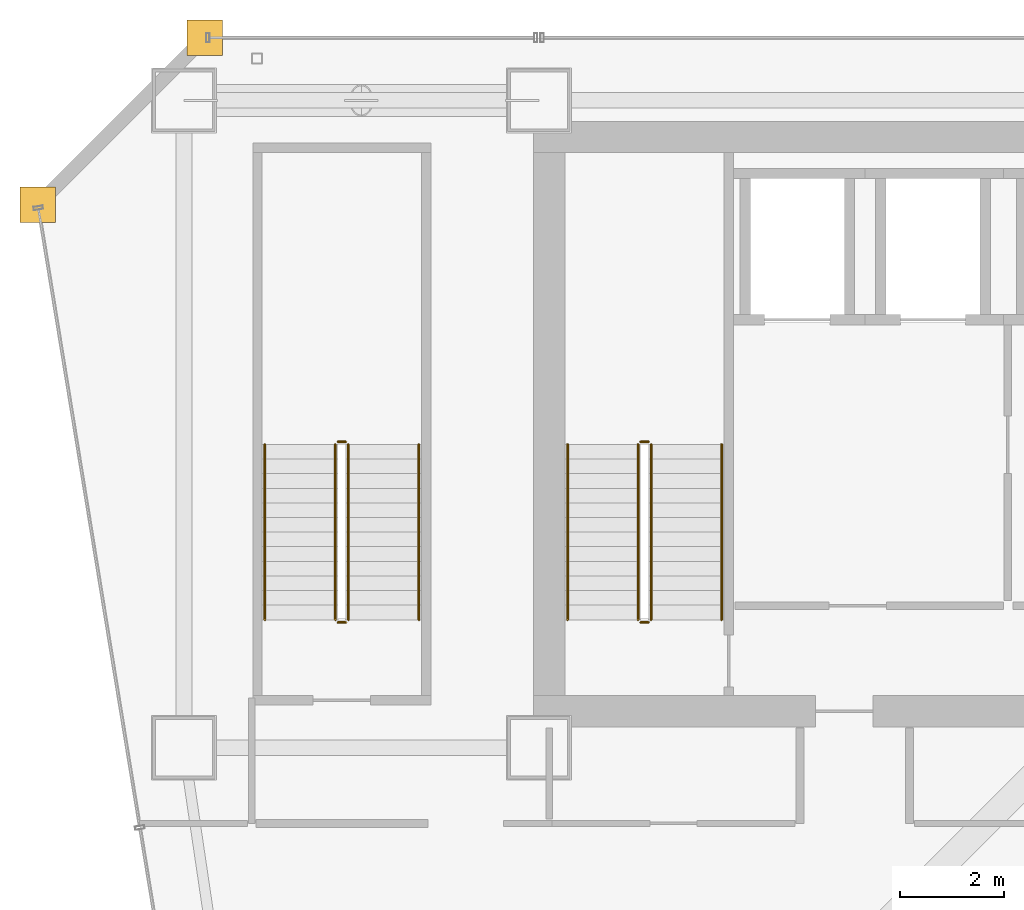
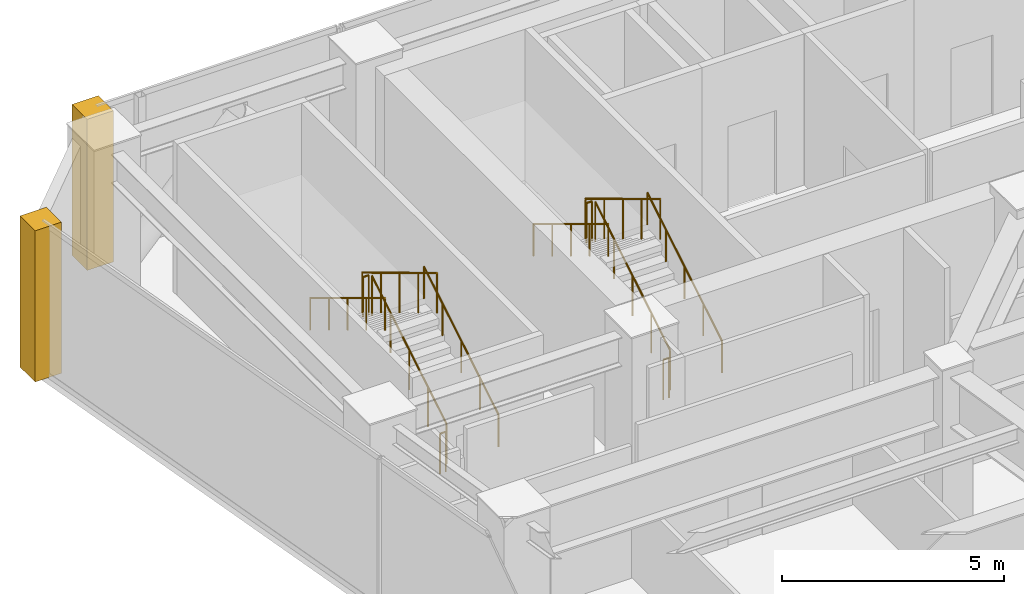
# One storey, part 39 of 40: 12 railings, 2 coverings.
"""IFC4 building model written with IfcOpenShell, lengths in metres."""

from ifc_helpers import new_model, si_unit, direction, frame, origin, origin_2d, place, context, subcontext, project, spatial, polyline, circle, outline, extrude, material, layer, layer_set, type_object, element, save


model = new_model("IFC4")

# Units and contexts
model_context = context("Model", 3, precision=1e-05, world=origin(), true_north=direction((0.0, 1.0)))
body_context = subcontext(model_context, "Body", "Model", "MODEL_VIEW")
ifc_project = project(units=[si_unit("LENGTHUNIT", "METRE"), si_unit("AREAUNIT", "SQUARE_METRE"), si_unit("VOLUMEUNIT", "CUBIC_METRE"), si_unit("PLANEANGLEUNIT", "RADIAN"), si_unit("MASSUNIT", "GRAM", prefix="KILO")], contexts=[model_context])

# Site, building, storey
site_placement = place(None, origin())
site = spatial("IfcSite", under=ifc_project, at=site_placement, CompositionType="ELEMENT")
building_placement = place(site_placement, origin())
building = spatial("IfcBuilding", under=site, at=building_placement, Name="Saevonmaru Cultural Tower", CompositionType="ELEMENT")
storey_placement = place(building_placement, frame((0.0, 0.0, 97.199951171875)))
storey = spatial("IfcBuildingStorey", under=building, at=storey_placement, Name="L20", CompositionType="ELEMENT", Elevation=97.199951171875)

# Coverings
ifc_material_1 = material(Name="Satin Bronze Anodised Aluminium", Category="aluminium")
ifc_layer = layer(ifc_material_1, 0.679931640625, Name="Satin Bronze Anodised Aluminium")
ifc_layer_set = layer_set([ifc_layer], Name="Satin Bronze Anodised Aluminium")
covering_type = type_object("IfcCoveringType", Name="CV-CORNER-CLAD", PredefinedType="CLADDING", material=ifc_layer_set)
covering_1_placement = place(storey_placement, origin())
element("IfcCovering", 1, at=covering_1_placement, inside=storey, type_object=covering_type, Name="L20 Tower Bronze Corner Cladding Pier 11", PredefinedType="CLADDING", context=body_context, shape_type="SweptSolid", body=[
    extrude(outline(polyline([(6.860107421875, 55.659912109375), (7.5400390625, 55.659912109375), (7.5400390625, 56.340087890625), (6.860107421875, 56.340087890625), (6.860107421875, 55.659912109375)])), origin(), (0.0, 0.0, 1.0), 4.150146484375),
])
covering_2_placement = place(storey_placement, origin())
element("IfcCovering", 2, at=covering_2_placement, inside=storey, type_object=covering_type, Name="L20 Tower Bronze Corner Cladding Pier 12", PredefinedType="CLADDING", context=body_context, shape_type="SweptSolid", body=[
    extrude(outline(polyline([(3.659912109375, 52.4599609375), (4.340087890625, 52.4599609375), (4.340087890625, 53.139892578125), (3.659912109375, 53.139892578125), (3.659912109375, 52.4599609375)])), origin(), (0.0, 0.0, 1.0), 4.150146484375),
])

# Railings
ifc_material_2 = material(Name="Architectural Painted Steel", Category="steel")
railing_type_1 = type_object("IfcRailingType", Name="RL-STAIR-GUARD", PredefinedType="GUARDRAIL", material=ifc_material_2)
railing_1_placement = place(storey_placement, frame((15.75, 44.85009765625, 0.169189453125)))
element("IfcRailing", 3, at=railing_1_placement, inside=storey, type_object=railing_type_1, Name="L20 ST-1 stair guard 1", PredefinedType="GUARDRAIL", context=body_context, shape_type="SweptSolid", body=[
    extrude(circle(Radius=0.02392578125, at=origin_2d()), frame((0.0, 0.0, 1.09619140625), z_axis=(0.0, 0.855820338506, 0.51727318527), x_axis=(-1.0, 0.0, 0.0)), (0.0, 0.0, 1.0), 3.92578125),
    extrude(circle(Radius=0.02099609375, at=origin_2d()), origin(), (0.0, 0.0, 1.0), 1.072021484375),
    extrude(circle(Radius=0.02099609375, at=origin_2d()), frame((0.0, 0.83984375, 0.5078125)), (0.0, 0.0, 1.0), 1.072021484375),
    extrude(circle(Radius=0.02099609375, at=origin_2d()), frame((0.0, 1.679931640625, 1.015380859375)), (0.0, 0.0, 1.0), 1.072021484375),
    extrude(circle(Radius=0.02099609375, at=origin_2d()), frame((0.0, 2.52001953125, 1.52294921875)), (0.0, 0.0, 1.0), 1.072021484375),
    extrude(circle(Radius=0.02099609375, at=origin_2d()), frame((0.0, 3.35986328125, 2.03076171875)), (0.0, 0.0, 1.0), 1.072021484375),
])
railing_2_placement = place(storey_placement, frame((15.699951171875, 48.260009765625, 2.199951171875)))
element("IfcRailing", 4, at=railing_2_placement, inside=storey, type_object=railing_type_1, Name="L20 ST-1 stair guard 2", PredefinedType="GUARDRAIL", context=body_context, shape_type="SweptSolid", body=[
    extrude(circle(Radius=0.02392578125, at=origin_2d()), frame((0.0, 0.0, 1.09619140625), z_axis=(-1.0, 0.0, 0.0), x_axis=(0.0, -1.0, 0.0)), (0.0, 0.0, 1.0), 0.14990234375),
    extrude(circle(Radius=0.02099609375, at=origin_2d()), origin(), (0.0, 0.0, 1.0), 1.072021484375),
    extrude(circle(Radius=0.02099609375, at=origin_2d()), frame((-0.14990234375, 0.0, 0.0)), (0.0, 0.0, 1.0), 1.072021484375),
])
railing_3_placement = place(storey_placement, frame((15.5, 48.2099609375, 2.369384765625)))
element("IfcRailing", 5, at=railing_3_placement, inside=storey, type_object=railing_type_1, Name="L20 ST-1 stair guard 3", PredefinedType="GUARDRAIL", context=body_context, shape_type="SweptSolid", body=[
    extrude(circle(Radius=0.02392578125, at=origin_2d()), frame((0.0, 0.0, 1.09619140625), z_axis=(0.0, -0.855820338506, 0.51727318527), x_axis=(1.0, 0.0, 0.0)), (0.0, 0.0, 1.0), 3.92578125),
    extrude(circle(Radius=0.02099609375, at=origin_2d()), origin(), (0.0, 0.0, 1.0), 1.072021484375),
    extrude(circle(Radius=0.02099609375, at=origin_2d()), frame((0.0, -0.83984375, 0.5078125)), (0.0, 0.0, 1.0), 1.072021484375),
    extrude(circle(Radius=0.02099609375, at=origin_2d()), frame((0.0, -1.679931640625, 1.015380859375)), (0.0, 0.0, 1.0), 1.072021484375),
    extrude(circle(Radius=0.02099609375, at=origin_2d()), frame((0.0, -2.52001953125, 1.52294921875)), (0.0, 0.0, 1.0), 1.072021484375),
    extrude(circle(Radius=0.02099609375, at=origin_2d()), frame((0.0, -3.35986328125, 2.03076171875)), (0.0, 0.0, 1.0), 1.072021484375),
])
railing_4_placement = place(storey_placement, frame((15.699951171875, 44.800048828125, 0.0)))
element("IfcRailing", 6, at=railing_4_placement, inside=storey, type_object=railing_type_1, Name="L20 ST-1 stair guard 4", PredefinedType="GUARDRAIL", context=body_context, shape_type="SweptSolid", body=[
    extrude(circle(Radius=0.02392578125, at=origin_2d()), frame((0.0, 0.0, 1.09619140625), z_axis=(-1.0, 0.0, 0.0), x_axis=(0.0, -1.0, 0.0)), (0.0, 0.0, 1.0), 0.14990234375),
    extrude(circle(Radius=0.02099609375, at=origin_2d()), origin(), (0.0, 0.0, 1.0), 1.072021484375),
    extrude(circle(Radius=0.02099609375, at=origin_2d()), frame((-0.14990234375, 0.0, 0.0)), (0.0, 0.0, 1.0), 1.072021484375),
])
railing_5_placement = place(storey_placement, frame((9.949951171875, 44.85009765625, 0.169189453125)))
element("IfcRailing", 7, at=railing_5_placement, inside=storey, type_object=railing_type_1, Name="L20 ST-3 stair guard 1", PredefinedType="GUARDRAIL", context=body_context, shape_type="SweptSolid", body=[
    extrude(circle(Radius=0.02392578125, at=origin_2d()), frame((0.0, 0.0, 1.09619140625), z_axis=(0.0, 0.855820338506, 0.51727318527), x_axis=(-1.0, 0.0, 0.0)), (0.0, 0.0, 1.0), 3.92578125),
    extrude(circle(Radius=0.02099609375, at=origin_2d()), origin(), (0.0, 0.0, 1.0), 1.072021484375),
    extrude(circle(Radius=0.02099609375, at=origin_2d()), frame((0.0, 0.83984375, 0.5078125)), (0.0, 0.0, 1.0), 1.072021484375),
    extrude(circle(Radius=0.02099609375, at=origin_2d()), frame((0.0, 1.679931640625, 1.015380859375)), (0.0, 0.0, 1.0), 1.072021484375),
    extrude(circle(Radius=0.02099609375, at=origin_2d()), frame((0.0, 2.52001953125, 1.52294921875)), (0.0, 0.0, 1.0), 1.072021484375),
    extrude(circle(Radius=0.02099609375, at=origin_2d()), frame((0.0, 3.35986328125, 2.03076171875)), (0.0, 0.0, 1.0), 1.072021484375),
])
railing_6_placement = place(storey_placement, frame((9.89990234375, 48.260009765625, 2.199951171875)))
element("IfcRailing", 8, at=railing_6_placement, inside=storey, type_object=railing_type_1, Name="L20 ST-3 stair guard 2", PredefinedType="GUARDRAIL", context=body_context, shape_type="SweptSolid", body=[
    extrude(circle(Radius=0.02392578125, at=origin_2d()), frame((0.0, 0.0, 1.09619140625), z_axis=(-1.0, 0.0, 0.0), x_axis=(0.0, -1.0, 0.0)), (0.0, 0.0, 1.0), 0.14990234375),
    extrude(circle(Radius=0.02099609375, at=origin_2d()), origin(), (0.0, 0.0, 1.0), 1.072021484375),
    extrude(circle(Radius=0.02099609375, at=origin_2d()), frame((-0.14990234375, 0.0, 0.0)), (0.0, 0.0, 1.0), 1.072021484375),
])
railing_7_placement = place(storey_placement, frame((9.699951171875, 48.2099609375, 2.369384765625)))
element("IfcRailing", 9, at=railing_7_placement, inside=storey, type_object=railing_type_1, Name="L20 ST-3 stair guard 3", PredefinedType="GUARDRAIL", context=body_context, shape_type="SweptSolid", body=[
    extrude(circle(Radius=0.02392578125, at=origin_2d()), frame((0.0, 0.0, 1.09619140625), z_axis=(0.0, -0.855820338506, 0.51727318527), x_axis=(1.0, 0.0, 0.0)), (0.0, 0.0, 1.0), 3.92578125),
    extrude(circle(Radius=0.02099609375, at=origin_2d()), origin(), (0.0, 0.0, 1.0), 1.072021484375),
    extrude(circle(Radius=0.02099609375, at=origin_2d()), frame((0.0, -0.83984375, 0.5078125)), (0.0, 0.0, 1.0), 1.072021484375),
    extrude(circle(Radius=0.02099609375, at=origin_2d()), frame((0.0, -1.679931640625, 1.015380859375)), (0.0, 0.0, 1.0), 1.072021484375),
    extrude(circle(Radius=0.02099609375, at=origin_2d()), frame((0.0, -2.52001953125, 1.52294921875)), (0.0, 0.0, 1.0), 1.072021484375),
    extrude(circle(Radius=0.02099609375, at=origin_2d()), frame((0.0, -3.35986328125, 2.03076171875)), (0.0, 0.0, 1.0), 1.072021484375),
])
railing_8_placement = place(storey_placement, frame((9.89990234375, 44.800048828125, 0.0)))
element("IfcRailing", 10, at=railing_8_placement, inside=storey, type_object=railing_type_1, Name="L20 ST-3 stair guard 4", PredefinedType="GUARDRAIL", context=body_context, shape_type="SweptSolid", body=[
    extrude(circle(Radius=0.02392578125, at=origin_2d()), frame((0.0, 0.0, 1.09619140625), z_axis=(-1.0, 0.0, 0.0), x_axis=(0.0, -1.0, 0.0)), (0.0, 0.0, 1.0), 0.14990234375),
    extrude(circle(Radius=0.02099609375, at=origin_2d()), origin(), (0.0, 0.0, 1.0), 1.072021484375),
    extrude(circle(Radius=0.02099609375, at=origin_2d()), frame((-0.14990234375, 0.0, 0.0)), (0.0, 0.0, 1.0), 1.072021484375),
])
railing_type_2 = type_object("IfcRailingType", Name="RL-STAIR-HANDRAIL", PredefinedType="HANDRAIL", material=ifc_material_1)
railing_9_placement = place(storey_placement, frame((17.10009765625, 44.85009765625, 0.169189453125)))
element("IfcRailing", 11, at=railing_9_placement, inside=storey, type_object=railing_type_2, Name="L20 ST-1 stair handrail 1", PredefinedType="HANDRAIL", context=body_context, shape_type="SweptSolid", body=[
    extrude(circle(Radius=0.02392578125, at=origin_2d()), frame((0.0, 0.0, 0.8759765625), z_axis=(0.0, 0.855820338506, 0.51727318527), x_axis=(-1.0, 0.0, 0.0)), (0.0, 0.0, 1.0), 3.92578125),
    extrude(circle(Radius=0.02099609375, at=origin_2d()), origin(), (0.0, 0.0, 1.0), 0.851806640625),
    extrude(circle(Radius=0.02099609375, at=origin_2d()), frame((0.0, 0.83984375, 0.5078125)), (0.0, 0.0, 1.0), 0.851806640625),
    extrude(circle(Radius=0.02099609375, at=origin_2d()), frame((0.0, 1.679931640625, 1.015380859375)), (0.0, 0.0, 1.0), 0.851806640625),
    extrude(circle(Radius=0.02099609375, at=origin_2d()), frame((0.0, 2.52001953125, 1.52294921875)), (0.0, 0.0, 1.0), 0.851806640625),
    extrude(circle(Radius=0.02099609375, at=origin_2d()), frame((0.0, 3.35986328125, 2.03076171875)), (0.0, 0.0, 1.0), 0.851806640625),
])
railing_10_placement = place(storey_placement, frame((14.14990234375, 48.2099609375, 2.369384765625)))
element("IfcRailing", 12, at=railing_10_placement, inside=storey, type_object=railing_type_2, Name="L20 ST-1 stair handrail 2", PredefinedType="HANDRAIL", context=body_context, shape_type="SweptSolid", body=[
    extrude(circle(Radius=0.02392578125, at=origin_2d()), frame((0.0, 0.0, 0.8759765625), z_axis=(0.0, -0.855820338506, 0.51727318527), x_axis=(1.0, 0.0, 0.0)), (0.0, 0.0, 1.0), 3.92578125),
    extrude(circle(Radius=0.02099609375, at=origin_2d()), origin(), (0.0, 0.0, 1.0), 0.851806640625),
    extrude(circle(Radius=0.02099609375, at=origin_2d()), frame((0.0, -0.83984375, 0.5078125)), (0.0, 0.0, 1.0), 0.851806640625),
    extrude(circle(Radius=0.02099609375, at=origin_2d()), frame((0.0, -1.679931640625, 1.015380859375)), (0.0, 0.0, 1.0), 0.851806640625),
    extrude(circle(Radius=0.02099609375, at=origin_2d()), frame((0.0, -2.52001953125, 1.52294921875)), (0.0, 0.0, 1.0), 0.851806640625),
    extrude(circle(Radius=0.02099609375, at=origin_2d()), frame((0.0, -3.35986328125, 2.03076171875)), (0.0, 0.0, 1.0), 0.851806640625),
])
railing_11_placement = place(storey_placement, frame((11.300048828125, 44.85009765625, 0.169189453125)))
element("IfcRailing", 13, at=railing_11_placement, inside=storey, type_object=railing_type_2, Name="L20 ST-3 stair handrail 1", PredefinedType="HANDRAIL", context=body_context, shape_type="SweptSolid", body=[
    extrude(circle(Radius=0.02392578125, at=origin_2d()), frame((0.0, 0.0, 0.8759765625), z_axis=(0.0, 0.855820338506, 0.51727318527), x_axis=(-1.0, 0.0, 0.0)), (0.0, 0.0, 1.0), 3.92578125),
    extrude(circle(Radius=0.02099609375, at=origin_2d()), origin(), (0.0, 0.0, 1.0), 0.851806640625),
    extrude(circle(Radius=0.02099609375, at=origin_2d()), frame((0.0, 0.83984375, 0.5078125)), (0.0, 0.0, 1.0), 0.851806640625),
    extrude(circle(Radius=0.02099609375, at=origin_2d()), frame((0.0, 1.679931640625, 1.015380859375)), (0.0, 0.0, 1.0), 0.851806640625),
    extrude(circle(Radius=0.02099609375, at=origin_2d()), frame((0.0, 2.52001953125, 1.52294921875)), (0.0, 0.0, 1.0), 0.851806640625),
    extrude(circle(Radius=0.02099609375, at=origin_2d()), frame((0.0, 3.35986328125, 2.03076171875)), (0.0, 0.0, 1.0), 0.851806640625),
])
railing_12_placement = place(storey_placement, frame((8.35009765625, 48.2099609375, 2.369384765625)))
element("IfcRailing", 14, at=railing_12_placement, inside=storey, type_object=railing_type_2, Name="L20 ST-3 stair handrail 2", PredefinedType="HANDRAIL", context=body_context, shape_type="SweptSolid", body=[
    extrude(circle(Radius=0.02392578125, at=origin_2d()), frame((0.0, 0.0, 0.8759765625), z_axis=(0.0, -0.855820338506, 0.51727318527), x_axis=(1.0, 0.0, 0.0)), (0.0, 0.0, 1.0), 3.92578125),
    extrude(circle(Radius=0.02099609375, at=origin_2d()), origin(), (0.0, 0.0, 1.0), 0.851806640625),
    extrude(circle(Radius=0.02099609375, at=origin_2d()), frame((0.0, -0.83984375, 0.5078125)), (0.0, 0.0, 1.0), 0.851806640625),
    extrude(circle(Radius=0.02099609375, at=origin_2d()), frame((0.0, -1.679931640625, 1.015380859375)), (0.0, 0.0, 1.0), 0.851806640625),
    extrude(circle(Radius=0.02099609375, at=origin_2d()), frame((0.0, -2.52001953125, 1.52294921875)), (0.0, 0.0, 1.0), 0.851806640625),
    extrude(circle(Radius=0.02099609375, at=origin_2d()), frame((0.0, -3.35986328125, 2.03076171875)), (0.0, 0.0, 1.0), 0.851806640625),
])

save(model, "model.ifc")
